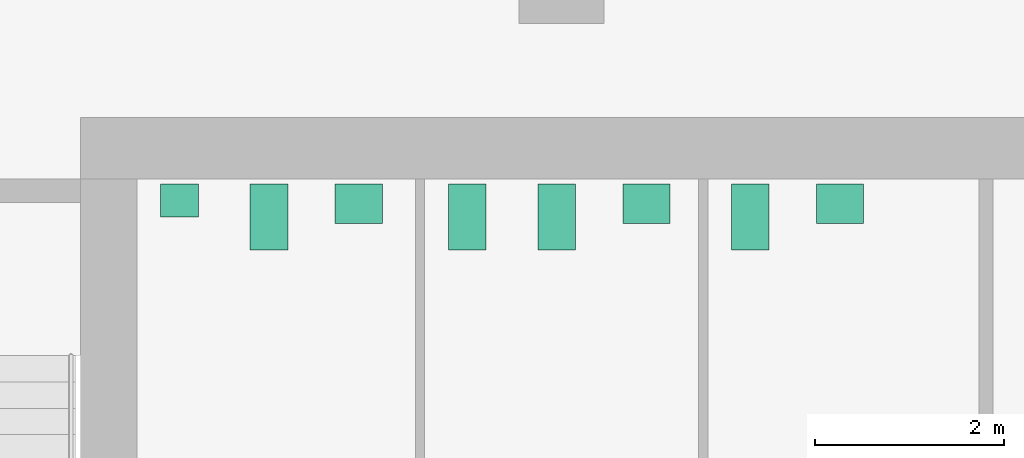
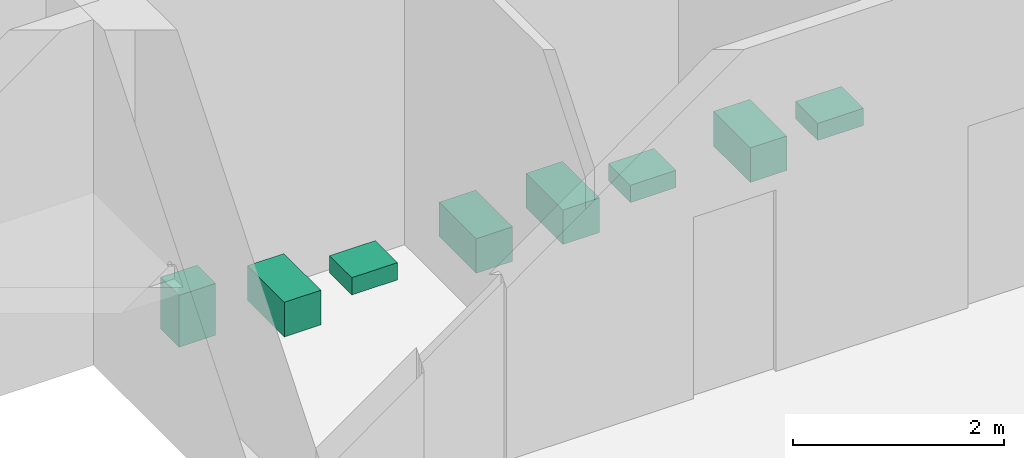
# One storey, part 8 of 8: 8 sanitary terminals.
"""IFC4 building model written with IfcOpenShell, lengths in metres."""

from ifc_helpers import new_model, si_unit, direction, frame, origin, origin_2d, place, context, subcontext, project, spatial, rectangle, extrude, material, type_object, element, save


model = new_model("IFC4")

# Units and contexts
model_context = context("Model", 3, precision=1e-05, world=origin(), true_north=direction((0.0, 1.0)))
body_context = subcontext(model_context, "Body", "Model", "MODEL_VIEW")
ifc_project = project(units=[si_unit("LENGTHUNIT", "METRE"), si_unit("AREAUNIT", "SQUARE_METRE"), si_unit("VOLUMEUNIT", "CUBIC_METRE"), si_unit("PLANEANGLEUNIT", "RADIAN"), si_unit("MASSUNIT", "GRAM", prefix="KILO")], contexts=[model_context])

# Site, building, storey
site_placement = place(None, origin())
site = spatial("IfcSite", under=ifc_project, at=site_placement, CompositionType="ELEMENT")
building_placement = place(site_placement, origin())
building = spatial("IfcBuilding", under=site, at=building_placement, Name="Cinnabar Reach Civic Tower", CompositionType="ELEMENT")
storey_placement = place(building_placement, frame((0.0, 0.0, 165.0)))
storey = spatial("IfcBuildingStorey", under=building, at=storey_placement, Name="L39", CompositionType="ELEMENT", Elevation=165.0)

# Sanitary terminals
ifc_material = material(Name="Vitreous china")
sanitary_terminal_type_1 = type_object("IfcSanitaryTerminalType", Name="T1 WC pan", PredefinedType="TOILETPAN", material=ifc_material)
for number, where, z_axis, x_axis, name in (
    (1, (5.9, 41.6, 0.0), (0.0, 0.0, 1.0), (1.0, 0.0, 0.0), "T1 WC pan 3908-2"),
    (2, (8.0, 41.6, 0.0), (0.0, 0.0, 1.0), (1.0, 0.0, 0.0), "T1 WC pan 3909-1"),
    (3, (8.95, 41.6, 0.0), (0.0, 0.0, 1.0), (1.0, 0.0, 0.0), "T1 WC pan 3909-2"),
    (4, (11.0, 41.6, 0.0), (0.0, 0.0, 1.0), (1.0, 0.0, 0.0), "T1 WC pan 3910-1"),
):
    element("IfcSanitaryTerminal", number, at=place(storey_placement, frame(where, z_axis=z_axis, x_axis=x_axis)), inside=storey, type_object=sanitary_terminal_type_1, Name=name, PredefinedType="TOILETPAN", context=body_context, shape_type="SweptSolid", body=[
        extrude(rectangle(XDim=0.4, YDim=0.7, at=origin_2d()), origin(), (0.0, 0.0, 1.0), 0.4),
    ])
sanitary_terminal_type_2 = type_object("IfcSanitaryTerminalType", Name="T1 urinal", PredefinedType="URINAL", material=ifc_material)
sanitary_terminal_placement = place(storey_placement, frame((4.95, 41.775, 0.0), z_axis=(0.0, 0.0, 1.0), x_axis=(1.0, 0.0, 0.0)))
element("IfcSanitaryTerminal", 5, at=sanitary_terminal_placement, inside=storey, type_object=sanitary_terminal_type_2, Name="T1 urinal 3908-1", PredefinedType="URINAL", context=body_context, shape_type="SweptSolid", body=[
    extrude(rectangle(XDim=0.4, YDim=0.35, at=origin_2d()), origin(), (0.0, 0.0, 1.0), 0.6),
])
sanitary_terminal_type_3 = type_object("IfcSanitaryTerminalType", Name="T1 wash basin", PredefinedType="WASHHANDBASIN", material=ifc_material)
for number, where, z_axis, x_axis, name in (
    (6, (6.85, 41.74, 0.0), (0.0, 0.0, 1.0), (1.0, 0.0, 0.0), "T1 wash basin 3908-3"),
    (7, (9.9, 41.74, 0.0), (0.0, 0.0, 1.0), (1.0, 0.0, 0.0), "T1 wash basin 3909-3"),
    (8, (11.95, 41.74, 0.0), (0.0, 0.0, 1.0), (1.0, 0.0, 0.0), "T1 wash basin 3910-2"),
):
    element("IfcSanitaryTerminal", number, at=place(storey_placement, frame(where, z_axis=z_axis, x_axis=x_axis)), inside=storey, type_object=sanitary_terminal_type_3, Name=name, PredefinedType="WASHHANDBASIN", context=body_context, shape_type="SweptSolid", body=[
        extrude(rectangle(XDim=0.5, YDim=0.42, at=origin_2d()), origin(), (0.0, 0.0, 1.0), 0.2),
    ])

save(model, "model.ifc")
